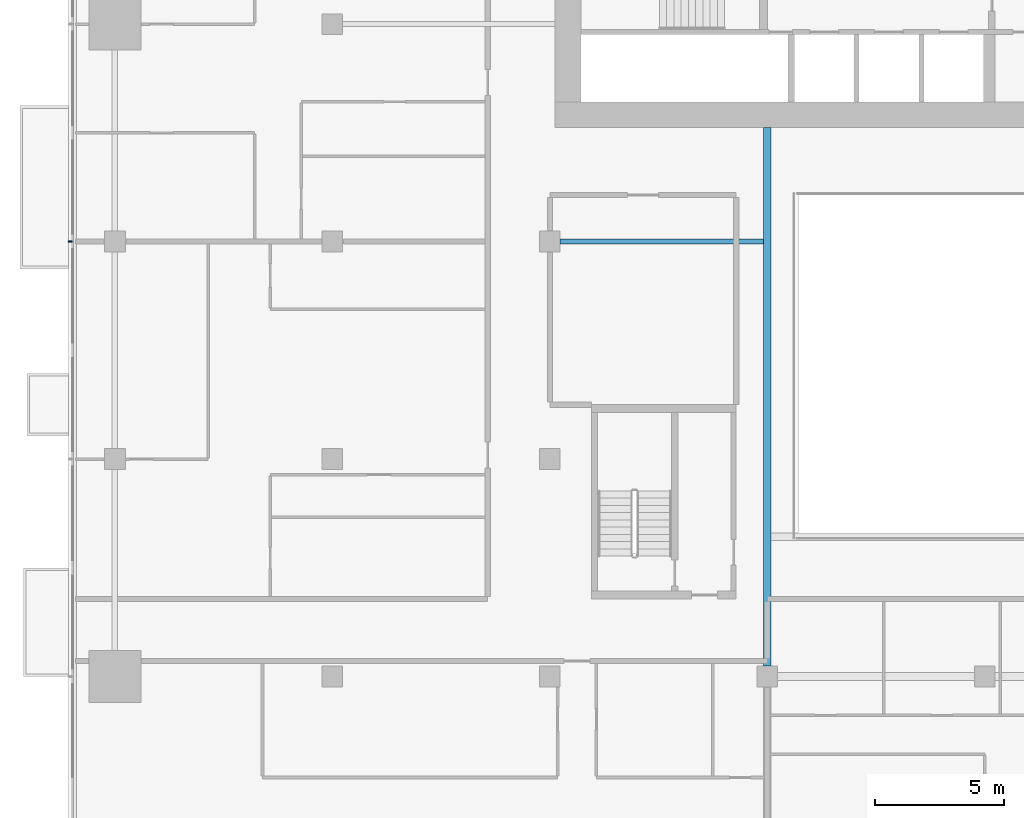
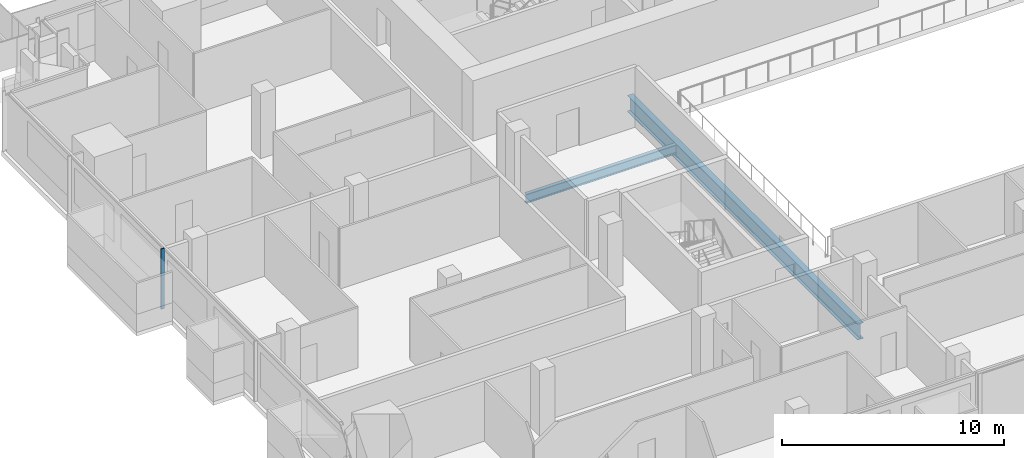
# One storey, part 4 of 29: 2 beams, 1 member, 1 element without a shape of its own.
"""IFC4 building model written with IfcOpenShell, lengths in metres."""

import ifcopenshell
import ifcopenshell.guid

model = None  # the IFC model being written
_history = None  # IfcOwnerHistory: only IFC2X3 demands one
_inside = {}  # id of a spatial element -> (the spatial element, [elements in it])
_under = {}  # id of a project, library or spatial element -> (it, [spatial elements below it])
_declared = {}  # id of a project -> (the project, [libraries it declares])
_typed = {}  # id of a type object -> (the type object, [elements of that type])
_made_of = {}  # id of a material, layer set ... -> (it, [elements and type objects made of it])


def new_model(schema):
    """Start an empty IFC model of exactly this schema.

    Asked for "IFC4X3", IfcOpenShell would pick the latest addendum, in which some entities
    have other attributes; the version numbers below select the first issue.
    IFC2X3 requires an IfcOwnerHistory on every rooted entity: one is made here for all.
    """
    global model, _history
    if schema == "IFC4X3":
        model = ifcopenshell.file(schema_version=(4, 3, 0, 0))
    else:
        model = ifcopenshell.file(schema=schema)
    _inside.clear()
    _under.clear()
    _declared.clear()
    _typed.clear()
    _made_of.clear()
    _history = None
    if model.schema == "IFC2X3":
        org = make("IfcOrganization", Name="unknown")
        user = make(
            "IfcPersonAndOrganization",
            ThePerson=make("IfcPerson", FamilyName="unknown"),
            TheOrganization=org,
        )
        app = make(
            "IfcApplication",
            ApplicationDeveloper=org,
            Version="unknown",
            ApplicationFullName="unknown",
            ApplicationIdentifier="unknown",
        )
        _history = make(
            "IfcOwnerHistory",
            OwningUser=user,
            OwningApplication=app,
            ChangeAction="ADDED",
            CreationDate=0,
        )
    return model


def make(cls, **values):
    """One entity of the class cls with the attributes given. An attribute that is None is left unset."""
    return model.create_entity(
        cls, **{name: value for name, value in values.items() if value is not None}
    )


def rooted(cls, **values):
    """An entity with a GlobalId (a new one), such as an element, a storey or a relation."""
    return make(cls, GlobalId=ifcopenshell.guid.new(), OwnerHistory=_history, **values)


def si_unit(unit_type, name, prefix=None):
    """IfcSIUnit, for example si_unit("LENGTHUNIT", "METRE", prefix="MILLI")."""
    return make("IfcSIUnit", UnitType=unit_type, Prefix=prefix, Name=name)


def assignment(units):
    """IfcUnitAssignment: the units of a project."""
    return None if units is None else make("IfcUnitAssignment", Units=units)


def point(xyz):
    """IfcCartesianPoint."""
    return None if xyz is None else make("IfcCartesianPoint", Coordinates=xyz)


def direction(xyz):
    """IfcDirection."""
    return None if xyz is None else make("IfcDirection", DirectionRatios=xyz)


def frame(location, z_axis=None, x_axis=None):
    """IfcAxis2Placement3D, a coordinate frame: its origin and axes. An axis left out is left unset."""
    return make(
        "IfcAxis2Placement3D",
        Location=point(location),
        Axis=direction(z_axis),
        RefDirection=direction(x_axis),
    )


def frame_2d(location, x_axis=None):
    """IfcAxis2Placement2D, a coordinate frame in the plane: its origin and x axis."""
    return make(
        "IfcAxis2Placement2D", Location=point(location), RefDirection=direction(x_axis)
    )


def origin():
    """The frame at (0, 0, 0) with its axes left unset."""
    return frame((0.0, 0.0, 0.0))


def origin_2d():
    """The frame at (0, 0) in the plane with its x axis left unset."""
    return frame_2d((0.0, 0.0))


def place(relative_to, where):
    """IfcLocalPlacement: puts the frame where relative to a parent placement (None: the world)."""
    return make(
        "IfcLocalPlacement", PlacementRelTo=relative_to, RelativePlacement=where
    )


def context(
    kind, dimensions, precision=None, world=None, true_north=None, identifier=None
):
    """IfcGeometricRepresentationContext, for example the 3D "Model" context."""
    return make(
        "IfcGeometricRepresentationContext",
        ContextIdentifier=identifier,
        ContextType=kind,
        CoordinateSpaceDimension=dimensions,
        Precision=precision,
        WorldCoordinateSystem=world,
        TrueNorth=true_north,
    )


def subcontext(parent, identifier, kind, view, scale=None):
    """IfcGeometricRepresentationSubContext, for example "Body" below "Model"."""
    return make(
        "IfcGeometricRepresentationSubContext",
        ContextIdentifier=identifier,
        ContextType=kind,
        ParentContext=parent,
        TargetScale=scale,
        TargetView=view,
    )


def project(units=None, contexts=None):
    """IfcProject with its units and contexts."""
    return rooted(
        "IfcProject",
        Name="project",
        RepresentationContexts=contexts,
        UnitsInContext=assignment(units),
    )


def spatial(cls, under=None, at=None, **own):
    """A site, building, storey or space (cls), placed at a placement, below another one or the project."""
    s = rooted(cls, ObjectPlacement=at, **own)
    if under is not None:
        _under.setdefault(under.id(), (under, []))[1].append(s)
    return s


def profile(cls, at=None, kind="AREA", **sizes):
    """A parametric profile (cls). Its sizes go by their IFC names, for example OverallWidth=200.0."""
    return make(cls, ProfileType=kind, Position=at, **sizes)


def rectangle(**sizes):
    """IfcRectangleProfileDef."""
    return profile("IfcRectangleProfileDef", **sizes)


def i_section(**sizes):
    """IfcIShapeProfileDef."""
    return profile("IfcIShapeProfileDef", **sizes)


def extrude(swept, where, along, depth):
    """IfcExtrudedAreaSolid: the profile swept, set in the frame where, extruded along a direction by depth."""
    return make(
        "IfcExtrudedAreaSolid",
        SweptArea=swept,
        Position=where,
        ExtrudedDirection=direction(along),
        Depth=depth,
    )


def shape(context_of_items, identifier, shape_type, items):
    """IfcShapeRepresentation: the items that make up one representation, for example the "Body"."""
    return make(
        "IfcShapeRepresentation",
        ContextOfItems=context_of_items,
        RepresentationIdentifier=identifier,
        RepresentationType=shape_type,
        Items=items,
    )


def material(Name=None, Category=None):
    """IfcMaterial."""
    return make("IfcMaterial", Name=Name, Category=Category)


def material_profile(
    of_material, cross_section, Name=None, Category=None, Priority=None
):
    """IfcMaterialProfile: a cross section and its material."""
    return make(
        "IfcMaterialProfile",
        Name=Name,
        Material=of_material,
        Profile=cross_section,
        Priority=Priority,
        Category=Category,
    )


def profile_set(profiles, Name=None, composite=None):
    """IfcMaterialProfileSet."""
    return make(
        "IfcMaterialProfileSet",
        Name=Name,
        MaterialProfiles=profiles,
        CompositeProfile=composite,
    )


def made_of(thing, what):
    """Note that an element or type object is made of a material, layer set ...; save() writes the relation."""
    if what is not None:
        _made_of.setdefault(what.id(), (what, []))[1].append(thing)
    return thing


def type_object(cls, material=None, **own):
    """A type object (cls), such as IfcWallType, which elements share."""
    return made_of(rooted(cls, **own), material)


def element(
    cls,
    number,
    at=None,
    inside=None,
    cuts=None,
    type_object=None,
    material=None,
    context=None,
    identifier="Body",
    shape_type=None,
    held_by="IfcProductDefinitionShape",
    body=None,
    shapes=None,
    **own,
):
    """One element of the class cls, such as IfcWall. Its Tag is "e" and its number.

    at: its placement. inside: the storey or other place that contains it. cuts: it is an
    opening in that element (IfcRelVoidsElement). A single representation is given by context,
    identifier, shape_type and body (its items); several are given by shapes. held_by: the class
    of the entity that holds the representations. save() writes the other relations.
    """
    e = rooted(cls, Tag="e%d" % number, ObjectPlacement=at, **own)
    if body is not None:
        shapes = [shape(context, identifier, shape_type, body)]
    if shapes is not None:
        e.Representation = make(held_by, Representations=shapes)
    if inside is not None:
        _inside.setdefault(inside.id(), (inside, []))[1].append(e)
    if cuts is not None:
        rooted(
            "IfcRelVoidsElement", RelatingBuildingElement=cuts, RelatedOpeningElement=e
        )
    if type_object is not None:
        _typed.setdefault(type_object.id(), (type_object, []))[1].append(e)
    return made_of(e, material)


def aggregate(whole, parts):
    """IfcRelAggregates: a whole, such as a stair, and the parts it consists of."""
    return rooted("IfcRelAggregates", RelatingObject=whole, RelatedObjects=parts)


def save(model, path):
    """Write the relations noted so far, then the file.

    IfcRelAggregates (storeys below a building ...), IfcRelContainedInSpatialStructure (elements
    in a storey), IfcRelDefinesByType, IfcRelAssociatesMaterial and IfcRelDeclares: one each for
    every whole, place, type object, material and project.
    """
    for whole, parts in _under.values():
        aggregate(whole, parts)
    for where, things in _inside.values():
        rooted(
            "IfcRelContainedInSpatialStructure",
            RelatedElements=things,
            RelatingStructure=where,
        )
    for kind, things in _typed.values():
        rooted("IfcRelDefinesByType", RelatedObjects=things, RelatingType=kind)
    for what, things in _made_of.values():
        rooted("IfcRelAssociatesMaterial", RelatedObjects=things, RelatingMaterial=what)
    for by, libraries in _declared.values():
        rooted("IfcRelDeclares", RelatingContext=by, RelatedDefinitions=libraries)
    model.write(path)


model = new_model("IFC4")

# Units and contexts
model_context = context("Model", 3, precision=1e-05, world=origin(), true_north=direction((0.0, 1.0)))
body_context = subcontext(model_context, "Body", "Model", "MODEL_VIEW")
ifc_project = project(units=[si_unit("LENGTHUNIT", "METRE"), si_unit("AREAUNIT", "SQUARE_METRE"), si_unit("VOLUMEUNIT", "CUBIC_METRE"), si_unit("PLANEANGLEUNIT", "RADIAN"), si_unit("MASSUNIT", "GRAM", prefix="KILO")], contexts=[model_context])

# Site, building, storey
site_placement = place(None, origin())
site = spatial("IfcSite", under=ifc_project, at=site_placement, CompositionType="ELEMENT")
building_placement = place(site_placement, origin())
building = spatial("IfcBuilding", under=site, at=building_placement, Name="Saffron Gate Tower", CompositionType="ELEMENT")
storey_placement = place(building_placement, frame((0.0, 0.0, 106.050048828125)))
storey = spatial("IfcBuildingStorey", under=building, at=storey_placement, Name="L24", CompositionType="ELEMENT", Elevation=106.050048828125)

# Beams
ifc_material_1 = material(Name="Structural steel S355", Category="steel")
ifc_material_profile_1 = material_profile(ifc_material_1, i_section(OverallWidth=0.199951171875, OverallDepth=0.5, WebThickness=0.01025390625, FlangeThickness=0.01611328125, FilletRadius=0.02099609375, at=origin_2d()))
ifc_profile_set_1 = profile_set([ifc_material_profile_1], Name="Structural steel S355")
beam_type_1 = type_object("IfcBeamType", Name="B10 IPE 500", PredefinedType="BEAM", material=ifc_profile_set_1)
beam_1_placement = place(storey_placement, frame((67.0, 57.0, -0.530029296875), z_axis=(1.0, 0.0, 0.0), x_axis=(0.0, 1.0, 0.0)))
element("IfcBeam", 1, at=beam_1_placement, inside=storey, type_object=beam_type_1, Name="B10 CORE TIE BEAM", PredefinedType="BEAM", context=body_context, shape_type="SweptSolid", body=[
    extrude(i_section(OverallWidth=0.199951171875, OverallDepth=0.5, WebThickness=0.01025390625, FlangeThickness=0.01611328125, FilletRadius=0.02099609375, at=origin_2d()), origin(), (0.0, 0.0, 1.0), 7.85009765625),
])
ifc_material_profile_2 = material_profile(ifc_material_1, i_section(OverallWidth=0.300048828125, OverallDepth=0.889892578125, WebThickness=0.01611328125, FlangeThickness=0.030029296875, FilletRadius=0.030029296875, at=origin_2d()))
ifc_profile_set_2 = profile_set([ifc_material_profile_2], Name="Structural steel S355")
beam_type_2 = type_object("IfcBeamType", Name="B19 HEA 900", PredefinedType="BEAM", material=ifc_profile_set_2)
beam_2_placement = place(storey_placement, frame((75.0, 40.60009765625, -0.72509765625), z_axis=(0.0, 1.0, 0.0), x_axis=(-1.0, 0.0, 0.0)))
element("IfcBeam", 2, at=beam_2_placement, inside=storey, type_object=beam_type_2, Name="B19 ATRIUM GIRDER", PredefinedType="BEAM", context=body_context, shape_type="SweptSolid", body=[
    extrude(i_section(OverallWidth=0.300048828125, OverallDepth=0.889892578125, WebThickness=0.01611328125, FlangeThickness=0.030029296875, FilletRadius=0.030029296875, at=origin_2d()), origin(), (0.0, 0.0, 1.0), 20.7998046875),
])

# Curtain wall, member
ifc_material_2 = material(Name="Aluminium, bronze anodised", Category="aluminium")
curtain_wall_type = type_object("IfcCurtainWallType", Name="CWS2 curtain wall side facades", PredefinedType="NOTDEFINED", material=ifc_material_2)
curtain_wall_placement = place(storey_placement, origin())
curtain_wall = element("IfcCurtainWall", 3, at=curtain_wall_placement, inside=storey, type_object=curtain_wall_type, Name="CWS2 run 10", PredefinedType="NOTDEFINED")
ifc_material_profile_3 = material_profile(ifc_material_2, rectangle(XDim=0.159912109375, YDim=0.06005859375, at=origin_2d()))
ifc_profile_set_3 = profile_set([ifc_material_profile_3], Name="Aluminium, bronze anodised")
member_type = type_object("IfcMemberType", Name="CWS2 mullion 60x160", PredefinedType="MULLION", material=ifc_profile_set_3)
member_placement = place(storey_placement, frame((48.080078125, 57.0, 0.0), z_axis=(0.0, 0.0, 1.0), x_axis=(1.0, 0.0, 0.0)))
member = element("IfcMember", 4, at=member_placement, type_object=member_type, Name="CWS2 mullion 3", PredefinedType="MULLION", context=body_context, shape_type="SweptSolid", body=[
    extrude(rectangle(XDim=0.159912109375, YDim=0.06005859375, at=origin_2d()), origin(), (0.0, 0.0, 1.0), 3.320068359375),
])
aggregate(curtain_wall, [member])

save(model, "model.ifc")
